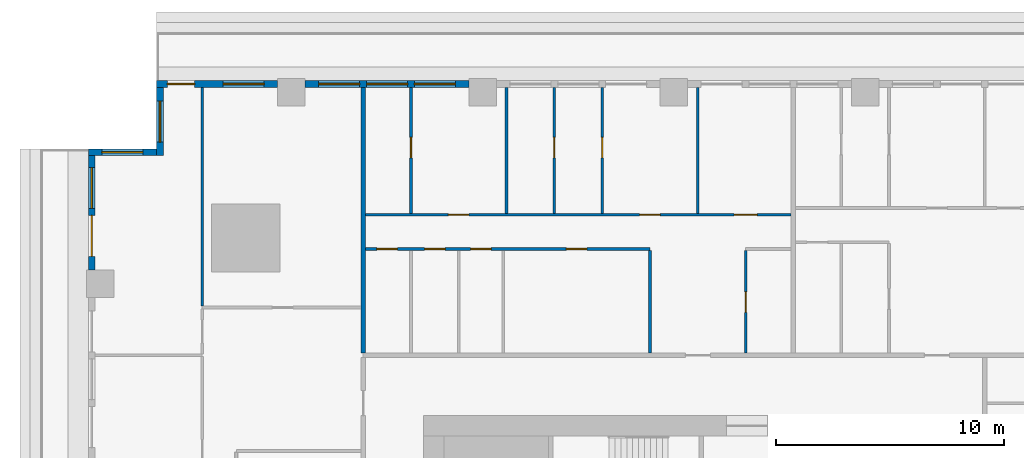
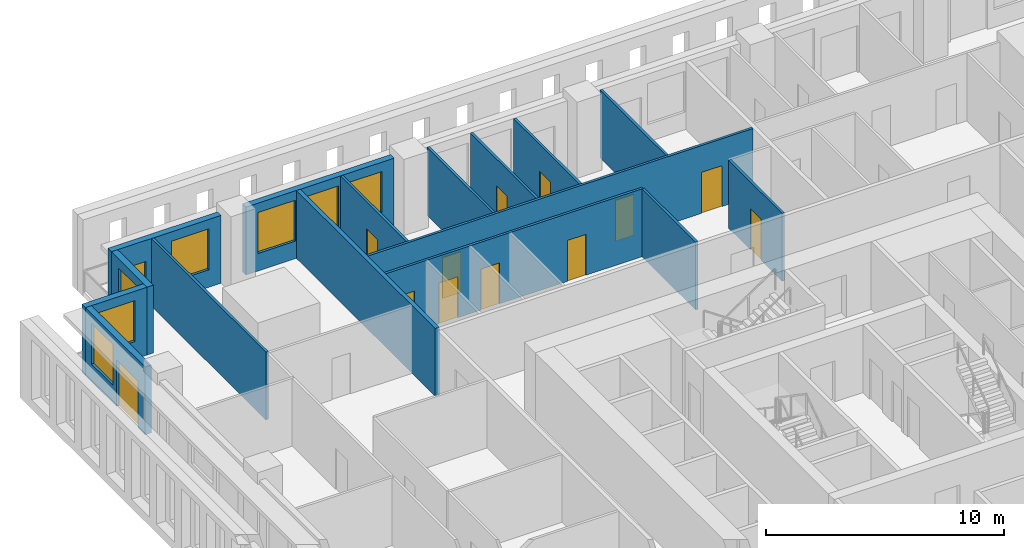
# One storey, part 7 of 15: 16 walls, 13 doors, 7 windows, 20 openings.
"""IFC4 building model written with IfcOpenShell, lengths in metres."""

from ifc_helpers import new_model, si_unit, direction, frame, frame_2d, origin, place, context, subcontext, project, spatial, rectangle, extrude, material, layer, layer_set, type_object, element, fill, save


model = new_model("IFC4")

# Units and contexts
model_context = context("Model", 3, precision=1e-05, world=origin(), true_north=direction((0.0, 1.0)))
body_context = subcontext(model_context, "Body", "Model", "MODEL_VIEW")
ifc_project = project(units=[si_unit("LENGTHUNIT", "METRE"), si_unit("AREAUNIT", "SQUARE_METRE"), si_unit("VOLUMEUNIT", "CUBIC_METRE"), si_unit("PLANEANGLEUNIT", "RADIAN"), si_unit("MASSUNIT", "GRAM", prefix="KILO")], contexts=[model_context])

# Site, building, storey
site_placement = place(None, origin())
site = spatial("IfcSite", under=ifc_project, at=site_placement, CompositionType="ELEMENT")
building_placement = place(site_placement, origin())
building = spatial("IfcBuilding", under=site, at=building_placement, Name="Khepri Terraces", CompositionType="ELEMENT")
storey_placement = place(building_placement, frame((0.0, 0.0, 46.5)))
storey = spatial("IfcBuildingStorey", under=building, at=storey_placement, Name="L10", CompositionType="ELEMENT", Elevation=46.5)

# Wall
ifc_material_1 = material(Name="Fire-rated gypsum plasterboard partition, mineral wool")
ifc_layer_1 = layer(ifc_material_1, 0.199951171875, Name="Fire-rated gypsum plasterboard partition, mineral wool")
ifc_layer_set_1 = layer_set([ifc_layer_1], Name="Fire-rated gypsum plasterboard partition, mineral wool")
wall_type_1 = type_object("IfcWallType", Name="WL-CORR-200", PredefinedType="PARTITIONING", material=ifc_layer_set_1)
wall_1_placement = place(storey_placement, frame((-13.64990234375, 13.75, 0.0), z_axis=(0.0, 0.0, 1.0), x_axis=(0.0, 1.0, 0.0)))
element("IfcWall", 1, at=wall_1_placement, inside=storey, type_object=wall_type_1, Name="Partition P-071 L10", PredefinedType="PARTITIONING", context=body_context, shape_type="SweptSolid", body=[
    extrude(rectangle(XDim=11.669921875, YDim=0.199951171875, at=frame_2d((5.8349609375, 0.0))), origin(), (0.0, 0.0, 1.0), 3.47998046875),
])

# Wall, openings, windows
ifc_material_2 = material(Name="Precast concrete C50/60 warm stone", Category="masonry")
ifc_layer_2 = layer(ifc_material_2, 0.300048828125, Name="Precast concrete C50/60 warm stone", Category="masonry")
ifc_layer_set_2 = layer_set([ifc_layer_2], Name="Precast concrete C50/60 warm stone")
wall_type_2 = type_object("IfcWallType", Name="WL-EXT-PRECAST-300", PredefinedType="STANDARD", material=ifc_layer_set_2)
wall_2_placement = place(storey_placement, frame((-9.0, 25.570068359375, 0.0), z_axis=(0.0, 0.0, 1.0), x_axis=(-1.0, 0.0, 0.0)))
wall_2 = element("IfcWall", 2, at=wall_2_placement, inside=storey, type_object=wall_type_2, Name="External wall L10 N", PredefinedType="STANDARD", context=body_context, shape_type="SweptSolid", body=[
    extrude(rectangle(XDim=7.199951171875, YDim=0.300048828125, at=frame_2d((3.60009765625, 0.0))), origin(), (0.0, 0.0, 1.0), 3.47998046875),
])
opening_1_placement = place(wall_2_placement, frame((0.60009765625, 0.0, 0.89990234375)))
opening_1 = element("IfcOpeningElement", 3, at=opening_1_placement, cuts=wall_2, Name="Opening W1", PredefinedType="OPENING", context=body_context, shape_type="SweptSolid", body=[
    extrude(rectangle(XDim=1.800048828125, YDim=2.10009765625, at=frame_2d((0.89990234375, 1.050048828125))), frame((0.0, 0.16015625, 0.0), z_axis=(0.0, -1.0, 0.0), x_axis=(1.0, 0.0, 0.0)), (0.0, 0.0, 1.0), 0.320068359375),
])
opening_2_placement = place(wall_2_placement, frame((2.699951171875, 0.0, 0.89990234375)))
opening_2 = element("IfcOpeningElement", 4, at=opening_2_placement, cuts=wall_2, Name="Opening W1", PredefinedType="OPENING", context=body_context, shape_type="SweptSolid", body=[
    extrude(rectangle(XDim=1.800048828125, YDim=2.10009765625, at=frame_2d((0.89990234375, 1.050048828125))), frame((0.0, 0.16015625, 0.0), z_axis=(0.0, -1.0, 0.0), x_axis=(1.0, 0.0, 0.0)), (0.0, 0.0, 1.0), 0.320068359375),
])
opening_3_placement = place(wall_2_placement, frame((4.800048828125, 0.0, 0.89990234375)))
opening_3 = element("IfcOpeningElement", 5, at=opening_3_placement, cuts=wall_2, Name="Opening W1", PredefinedType="OPENING", context=body_context, shape_type="SweptSolid", body=[
    extrude(rectangle(XDim=1.800048828125, YDim=2.10009765625, at=frame_2d((0.89990234375, 1.050048828125))), frame((0.0, 0.16015625, 0.0), z_axis=(0.0, -1.0, 0.0), x_axis=(1.0, 0.0, 0.0)), (0.0, 0.0, 1.0), 0.320068359375),
])
ifc_material_3 = material(Name="Clear glass", Category="glass")
window_type = type_object("IfcWindowType", Name="WIN-RES-1800x2100", PartitioningType="SINGLE_PANEL", PredefinedType="WINDOW", material=ifc_material_3)
window_1_placement = place(opening_1_placement, origin())
window_1 = element("IfcWindow", 6, at=window_1_placement, inside=storey, type_object=window_type, Name="Window L10 N", OverallHeight=2.10009765625, OverallWidth=1.800048828125, PartitioningType="SINGLE_PANEL", PredefinedType="WINDOW", context=body_context, shape_type="SweptSolid", body=[
    extrude(rectangle(XDim=1.800048828125, YDim=2.10009765625, at=frame_2d((0.89990234375, 1.050048828125))), frame((0.0, 0.030029296875, 0.0), z_axis=(0.0, -1.0, 0.0), x_axis=(1.0, 0.0, 0.0)), (0.0, 0.0, 1.0), 0.06005859375),
])
fill(opening_1, window_1)
window_2_placement = place(opening_2_placement, origin())
window_2 = element("IfcWindow", 7, at=window_2_placement, inside=storey, type_object=window_type, Name="Window L10 N", OverallHeight=2.10009765625, OverallWidth=1.800048828125, PartitioningType="SINGLE_PANEL", PredefinedType="WINDOW", context=body_context, shape_type="SweptSolid", body=[
    extrude(rectangle(XDim=1.800048828125, YDim=2.10009765625, at=frame_2d((0.89990234375, 1.050048828125))), frame((0.0, 0.030029296875, 0.0), z_axis=(0.0, -1.0, 0.0), x_axis=(1.0, 0.0, 0.0)), (0.0, 0.0, 1.0), 0.06005859375),
])
fill(opening_2, window_2)
window_3_placement = place(opening_3_placement, origin())
window_3 = element("IfcWindow", 8, at=window_3_placement, inside=storey, type_object=window_type, Name="Window L10 N", OverallHeight=2.10009765625, OverallWidth=1.800048828125, PartitioningType="SINGLE_PANEL", PredefinedType="WINDOW", context=body_context, shape_type="SweptSolid", body=[
    extrude(rectangle(XDim=1.800048828125, YDim=2.10009765625, at=frame_2d((0.89990234375, 1.050048828125))), frame((0.0, 0.030029296875, 0.0), z_axis=(0.0, -1.0, 0.0), x_axis=(1.0, 0.0, 0.0)), (0.0, 0.0, 1.0), 0.06005859375),
])
fill(opening_3, window_3)

# Wall, openings, door, window
wall_3_placement = place(storey_placement, frame((-17.39990234375, 25.570068359375, 0.0), z_axis=(0.0, 0.0, 1.0), x_axis=(-1.0, 0.0, 0.0)))
wall_3 = element("IfcWall", 9, at=wall_3_placement, inside=storey, type_object=wall_type_2, Name="External wall L10 N", PredefinedType="STANDARD", context=body_context, shape_type="SweptSolid", body=[
    extrude(rectangle(XDim=5.320068359375, YDim=0.300048828125, at=frame_2d((2.66015625, 0.0))), origin(), (0.0, 0.0, 1.0), 3.47998046875),
])
opening_4_placement = place(wall_3_placement, frame((0.60009765625, 0.0, 0.89990234375)))
opening_4 = element("IfcOpeningElement", 10, at=opening_4_placement, cuts=wall_3, Name="Opening W1", PredefinedType="OPENING", context=body_context, shape_type="SweptSolid", body=[
    extrude(rectangle(XDim=1.800048828125, YDim=2.10009765625, at=frame_2d((0.89990234375, 1.050048828125))), frame((0.0, 0.16015625, 0.0), z_axis=(0.0, -1.0, 0.0), x_axis=(1.0, 0.0, 0.0)), (0.0, 0.0, 1.0), 0.320068359375),
])
opening_5_placement = place(wall_3_placement, frame((3.64501953125, 0.0, 0.0)))
opening_5 = element("IfcOpeningElement", 11, at=opening_5_placement, cuts=wall_3, Name="Opening ED-L10-11", PredefinedType="OPENING", context=body_context, shape_type="SweptSolid", body=[
    extrude(rectangle(XDim=1.199951171875, YDim=2.39990234375, at=frame_2d((0.60009765625, 1.199951171875))), frame((0.0, 0.16015625, 0.0), z_axis=(0.0, -1.0, 0.0), x_axis=(1.0, 0.0, 0.0)), (0.0, 0.0, 1.0), 0.320068359375),
])
ifc_material_4 = material(Name="Anodised aluminium bronze glazed door", Category="aluminium")
door_type_1 = type_object("IfcDoorType", Name="DR-BAL-SLIDE-1200x2400", OperationType="NOTDEFINED", PredefinedType="DOOR", material=ifc_material_4)
door_1_placement = place(opening_5_placement, origin())
door_1 = element("IfcDoor", 12, at=door_1_placement, inside=storey, type_object=door_type_1, Name="Balcony door L10 N", OperationType="SLIDING_TO_RIGHT", OverallHeight=2.39990234375, OverallWidth=1.199951171875, PredefinedType="DOOR", context=body_context, shape_type="SweptSolid", body=[
    extrude(rectangle(XDim=1.199951171875, YDim=2.39990234375, at=frame_2d((0.60009765625, 1.199951171875))), frame((0.0, 0.02490234375, 0.0), z_axis=(0.0, -1.0, 0.0), x_axis=(1.0, 0.0, 0.0)), (0.0, 0.0, 1.0), 0.050048828125),
])
fill(opening_5, door_1)
window_4_placement = place(opening_4_placement, origin())
window_4 = element("IfcWindow", 13, at=window_4_placement, inside=storey, type_object=window_type, Name="Window L10 N", OverallHeight=2.10009765625, OverallWidth=1.800048828125, PartitioningType="SINGLE_PANEL", PredefinedType="WINDOW", context=body_context, shape_type="SweptSolid", body=[
    extrude(rectangle(XDim=1.800048828125, YDim=2.10009765625, at=frame_2d((0.89990234375, 1.050048828125))), frame((0.0, 0.030029296875, 0.0), z_axis=(0.0, -1.0, 0.0), x_axis=(1.0, 0.0, 0.0)), (0.0, 0.0, 1.0), 0.06005859375),
])
fill(opening_4, window_4)

# Wall, opening, window
wall_4_placement = place(storey_placement, frame((-22.570068359375, 25.419921875, 0.0), z_axis=(0.0, 0.0, 1.0), x_axis=(0.0, -1.0, 0.0)))
wall_4 = element("IfcWall", 14, at=wall_4_placement, inside=storey, type_object=wall_type_2, Name="External wall L10 W", PredefinedType="STANDARD", context=body_context, shape_type="SweptSolid", body=[
    extrude(rectangle(XDim=3.0, YDim=0.300048828125, at=frame_2d((1.5, 0.0))), origin(), (0.0, 0.0, 1.0), 3.47998046875),
])
opening_6_placement = place(wall_4_placement, frame((0.60009765625, 0.0, 0.89990234375)))
opening_6 = element("IfcOpeningElement", 15, at=opening_6_placement, cuts=wall_4, Name="Opening W1", PredefinedType="OPENING", context=body_context, shape_type="SweptSolid", body=[
    extrude(rectangle(XDim=1.800048828125, YDim=2.10009765625, at=frame_2d((0.89990234375, 1.050048828125))), frame((0.0, 0.16015625, 0.0), z_axis=(0.0, -1.0, 0.0), x_axis=(1.0, 0.0, 0.0)), (0.0, 0.0, 1.0), 0.320068359375),
])
window_5_placement = place(opening_6_placement, origin())
window_5 = element("IfcWindow", 16, at=window_5_placement, inside=storey, type_object=window_type, Name="Window L10 W", OverallHeight=2.10009765625, OverallWidth=1.800048828125, PartitioningType="SINGLE_PANEL", PredefinedType="WINDOW", context=body_context, shape_type="SweptSolid", body=[
    extrude(rectangle(XDim=1.800048828125, YDim=2.10009765625, at=frame_2d((0.89990234375, 1.050048828125))), frame((0.0, 0.030029296875, 0.0), z_axis=(0.0, -1.0, 0.0), x_axis=(1.0, 0.0, 0.0)), (0.0, 0.0, 1.0), 0.06005859375),
])
fill(opening_6, window_5)

wall_5_placement = place(storey_placement, frame((-22.719970703125, 22.570068359375, 0.0), z_axis=(0.0, 0.0, 1.0), x_axis=(-1.0, 0.0, 0.0)))
wall_5 = element("IfcWall", 17, at=wall_5_placement, inside=storey, type_object=wall_type_2, Name="External wall L10 N", PredefinedType="STANDARD", context=body_context, shape_type="SweptSolid", body=[
    extrude(rectangle(XDim=3.0, YDim=0.300048828125, at=frame_2d((1.5, 0.0))), origin(), (0.0, 0.0, 1.0), 3.47998046875),
])
opening_7_placement = place(wall_5_placement, frame((0.60009765625, 0.0, 0.89990234375)))
opening_7 = element("IfcOpeningElement", 18, at=opening_7_placement, cuts=wall_5, Name="Opening W1", PredefinedType="OPENING", context=body_context, shape_type="SweptSolid", body=[
    extrude(rectangle(XDim=1.800048828125, YDim=2.10009765625, at=frame_2d((0.89990234375, 1.050048828125))), frame((0.0, 0.16015625, 0.0), z_axis=(0.0, -1.0, 0.0), x_axis=(1.0, 0.0, 0.0)), (0.0, 0.0, 1.0), 0.320068359375),
])
window_6_placement = place(opening_7_placement, origin())
window_6 = element("IfcWindow", 19, at=window_6_placement, inside=storey, type_object=window_type, Name="Window L10 N", OverallHeight=2.10009765625, OverallWidth=1.800048828125, PartitioningType="SINGLE_PANEL", PredefinedType="WINDOW", context=body_context, shape_type="SweptSolid", body=[
    extrude(rectangle(XDim=1.800048828125, YDim=2.10009765625, at=frame_2d((0.89990234375, 1.050048828125))), frame((0.0, 0.030029296875, 0.0), z_axis=(0.0, -1.0, 0.0), x_axis=(1.0, 0.0, 0.0)), (0.0, 0.0, 1.0), 0.06005859375),
])
fill(opening_7, window_6)

# Wall, openings, door, window
wall_6_placement = place(storey_placement, frame((-25.570068359375, 22.419921875, 0.0), z_axis=(0.0, 0.0, 1.0), x_axis=(0.0, -1.0, 0.0)))
wall_6 = element("IfcWall", 20, at=wall_6_placement, inside=storey, type_object=wall_type_2, Name="External wall L10 W", PredefinedType="STANDARD", context=body_context, shape_type="SweptSolid", body=[
    extrude(rectangle(XDim=5.02001953125, YDim=0.300048828125, at=frame_2d((2.510009765625, 0.0))), origin(), (0.0, 0.0, 1.0), 3.47998046875),
])
opening_8_placement = place(wall_6_placement, frame((0.52001953125, 0.0, 0.89990234375)))
opening_8 = element("IfcOpeningElement", 21, at=opening_8_placement, cuts=wall_6, Name="Opening W1", PredefinedType="OPENING", context=body_context, shape_type="SweptSolid", body=[
    extrude(rectangle(XDim=1.800048828125, YDim=2.10009765625, at=frame_2d((0.89990234375, 1.050048828125))), frame((0.0, 0.16015625, 0.0), z_axis=(0.0, -1.0, 0.0), x_axis=(1.0, 0.0, 0.0)), (0.0, 0.0, 1.0), 0.320068359375),
])
opening_9_placement = place(wall_6_placement, frame((2.6201171875, 0.0, 0.0)))
opening_9 = element("IfcOpeningElement", 22, at=opening_9_placement, cuts=wall_6, Name="Opening ED-L10-12", PredefinedType="OPENING", context=body_context, shape_type="SweptSolid", body=[
    extrude(rectangle(XDim=1.800048828125, YDim=2.39990234375, at=frame_2d((0.89990234375, 1.199951171875))), frame((0.0, 0.16015625, 0.0), z_axis=(0.0, -1.0, 0.0), x_axis=(1.0, 0.0, 0.0)), (0.0, 0.0, 1.0), 0.320068359375),
])
door_type_2 = type_object("IfcDoorType", Name="DR-BAL-SLIDE-1800x2400", OperationType="NOTDEFINED", PredefinedType="DOOR", material=ifc_material_4)
door_2_placement = place(opening_9_placement, origin())
door_2 = element("IfcDoor", 23, at=door_2_placement, inside=storey, type_object=door_type_2, Name="Balcony door L10 W", OperationType="SLIDING_TO_RIGHT", OverallHeight=2.39990234375, OverallWidth=1.800048828125, PredefinedType="DOOR", context=body_context, shape_type="SweptSolid", body=[
    extrude(rectangle(XDim=1.800048828125, YDim=2.39990234375, at=frame_2d((0.89990234375, 1.199951171875))), frame((0.0, 0.02490234375, 0.0), z_axis=(0.0, -1.0, 0.0), x_axis=(1.0, 0.0, 0.0)), (0.0, 0.0, 1.0), 0.050048828125),
])
fill(opening_9, door_2)
window_7_placement = place(opening_8_placement, origin())
window_7 = element("IfcWindow", 24, at=window_7_placement, inside=storey, type_object=window_type, Name="Window L10 W", OverallHeight=2.10009765625, OverallWidth=1.800048828125, PartitioningType="SINGLE_PANEL", PredefinedType="WINDOW", context=body_context, shape_type="SweptSolid", body=[
    extrude(rectangle(XDim=1.800048828125, YDim=2.10009765625, at=frame_2d((0.89990234375, 1.050048828125))), frame((0.0, 0.030029296875, 0.0), z_axis=(0.0, -1.0, 0.0), x_axis=(1.0, 0.0, 0.0)), (0.0, 0.0, 1.0), 0.06005859375),
])
fill(opening_8, window_7)

# Wall
ifc_material_5 = material(Name="Gypsum plasterboard partition")
ifc_layer_3 = layer(ifc_material_5, 0.1201171875, Name="Gypsum plasterboard partition")
ifc_layer_set_3 = layer_set([ifc_layer_3], Name="Gypsum plasterboard partition")
wall_type_3 = type_object("IfcWallType", Name="WL-PART-120", PredefinedType="PARTITIONING", material=ifc_layer_set_3)
wall_7_placement = place(storey_placement, frame((-1.050048828125, 13.75, 0.0), z_axis=(0.0, 0.0, 1.0), x_axis=(0.0, 1.0, 0.0)))
element("IfcWall", 25, at=wall_7_placement, inside=storey, type_object=wall_type_3, Name="Partition P-075 L10", PredefinedType="PARTITIONING", context=body_context, shape_type="SweptSolid", body=[
    extrude(rectangle(XDim=4.510009765625, YDim=0.1201171875, at=frame_2d((2.2548828125, 0.0))), origin(), (0.0, 0.0, 1.0), 3.47998046875),
])

# Wall, opening, door
wall_8_placement = place(storey_placement, frame((3.14990234375, 13.75, 0.0), z_axis=(0.0, 0.0, 1.0), x_axis=(0.0, 1.0, 0.0)))
wall_8 = element("IfcWall", 26, at=wall_8_placement, inside=storey, type_object=wall_type_3, Name="Partition P-076 L10", PredefinedType="PARTITIONING", context=body_context, shape_type="SweptSolid", body=[
    extrude(rectangle(XDim=4.510009765625, YDim=0.1201171875, at=frame_2d((2.2548828125, 0.0))), origin(), (0.0, 0.0, 1.0), 3.47998046875),
])
opening_10_placement = place(wall_8_placement, frame((1.784912109375, 0.0, 0.0)))
opening_10 = element("IfcOpeningElement", 27, at=opening_10_placement, cuts=wall_8, Name="Opening D3", PredefinedType="OPENING", context=body_context, shape_type="SweptSolid", body=[
    extrude(rectangle(XDim=0.89990234375, YDim=2.10009765625, at=frame_2d((0.449951171875, 1.050048828125))), frame((0.0, 0.070068359375, 0.0), z_axis=(0.0, -1.0, 0.0), x_axis=(1.0, 0.0, 0.0)), (0.0, 0.0, 1.0), 0.14013671875),
])
ifc_material_6 = material(Name="Timber door leaf", Category="wood")
door_type_3 = type_object("IfcDoorType", Name="DR-INT-900", OperationType="NOTDEFINED", PredefinedType="DOOR", material=ifc_material_6)
door_3_placement = place(opening_10_placement, frame((0.89990234375, 0.0, 0.0), z_axis=(0.0, 0.0, 1.0), x_axis=(-1.0, 0.0, 0.0)))
door_3 = element("IfcDoor", 28, at=door_3_placement, inside=storey, type_object=door_type_3, Name="Door Utility Room", OperationType="SINGLE_SWING_RIGHT", OverallHeight=2.10009765625, OverallWidth=0.89990234375, PredefinedType="DOOR", context=body_context, shape_type="SweptSolid", body=[
    extrude(rectangle(XDim=0.89990234375, YDim=2.10009765625, at=frame_2d((0.449951171875, 1.050048828125))), frame((0.0, 0.02490234375, 0.0), z_axis=(0.0, -1.0, 0.0), x_axis=(1.0, 0.0, 0.0)), (0.0, 0.0, 1.0), 0.050048828125),
])
fill(opening_10, door_3)

# Wall
wall_9_placement = place(storey_placement, frame((-20.719970703125, 15.81005859375, 0.0), z_axis=(0.0, 0.0, 1.0), x_axis=(0.0, 1.0, 0.0)))
element("IfcWall", 29, at=wall_9_placement, inside=storey, type_object=wall_type_3, Name="Partition P-082 L10", PredefinedType="PARTITIONING", context=body_context, shape_type="SweptSolid", body=[
    extrude(rectangle(XDim=9.60986328125, YDim=0.1201171875, at=frame_2d((4.804931640625, 0.0))), origin(), (0.0, 0.0, 1.0), 3.47998046875),
])

# Wall, openings, doors
wall_10_placement = place(storey_placement, frame((-13.550048828125, 18.320068359375, 0.0), z_axis=(0.0, 0.0, 1.0), x_axis=(1.0, 0.0, 0.0)))
wall_10 = element("IfcWall", 30, at=wall_10_placement, inside=storey, type_object=wall_type_3, Name="Partition P-083 L10", PredefinedType="PARTITIONING", context=body_context, shape_type="SweptSolid", body=[
    extrude(rectangle(XDim=12.5, YDim=0.1201171875, at=frame_2d((6.25, 0.0))), origin(), (0.0, 0.0, 1.0), 3.47998046875),
])
opening_11_placement = place(wall_10_placement, frame((8.824951171875, 0.0, 0.0)))
opening_11 = element("IfcOpeningElement", 31, at=opening_11_placement, cuts=wall_10, Name="Opening D3", PredefinedType="OPENING", context=body_context, shape_type="SweptSolid", body=[
    extrude(rectangle(XDim=0.89990234375, YDim=2.10009765625, at=frame_2d((0.449951171875, 1.050048828125))), frame((0.0, 0.070068359375, 0.0), z_axis=(0.0, -1.0, 0.0), x_axis=(1.0, 0.0, 0.0)), (0.0, 0.0, 1.0), 0.14013671875),
])
opening_12_placement = place(wall_10_placement, frame((4.625, 0.0, 0.0)))
opening_12 = element("IfcOpeningElement", 32, at=opening_12_placement, cuts=wall_10, Name="Opening D4", PredefinedType="OPENING", context=body_context, shape_type="SweptSolid", body=[
    extrude(rectangle(XDim=0.89990234375, YDim=2.10009765625, at=frame_2d((0.449951171875, 1.050048828125))), frame((0.0, 0.070068359375, 0.0), z_axis=(0.0, -1.0, 0.0), x_axis=(1.0, 0.0, 0.0)), (0.0, 0.0, 1.0), 0.14013671875),
])
opening_13_placement = place(wall_10_placement, frame((2.60009765625, 0.0, 0.0)))
opening_13 = element("IfcOpeningElement", 33, at=opening_13_placement, cuts=wall_10, Name="Opening D4", PredefinedType="OPENING", context=body_context, shape_type="SweptSolid", body=[
    extrude(rectangle(XDim=0.89990234375, YDim=2.10009765625, at=frame_2d((0.449951171875, 1.050048828125))), frame((0.0, 0.070068359375, 0.0), z_axis=(0.0, -1.0, 0.0), x_axis=(1.0, 0.0, 0.0)), (0.0, 0.0, 1.0), 0.14013671875),
])
opening_14_placement = place(wall_10_placement, frame((0.5, 0.0, 0.0)))
opening_14 = element("IfcOpeningElement", 34, at=opening_14_placement, cuts=wall_10, Name="Opening D3", PredefinedType="OPENING", context=body_context, shape_type="SweptSolid", body=[
    extrude(rectangle(XDim=0.89990234375, YDim=2.10009765625, at=frame_2d((0.449951171875, 1.050048828125))), frame((0.0, 0.070068359375, 0.0), z_axis=(0.0, -1.0, 0.0), x_axis=(1.0, 0.0, 0.0)), (0.0, 0.0, 1.0), 0.14013671875),
])
door_4_placement = place(opening_11_placement, frame((0.89990234375, 0.0, 0.0), z_axis=(0.0, 0.0, 1.0), x_axis=(-1.0, 0.0, 0.0)))
door_4 = element("IfcDoor", 35, at=door_4_placement, inside=storey, type_object=door_type_3, Name="Door Kitchen", OperationType="SINGLE_SWING_LEFT", OverallHeight=2.10009765625, OverallWidth=0.89990234375, PredefinedType="DOOR", context=body_context, shape_type="SweptSolid", body=[
    extrude(rectangle(XDim=0.89990234375, YDim=2.10009765625, at=frame_2d((0.449951171875, 1.050048828125))), frame((0.0, 0.02490234375, 0.0), z_axis=(0.0, -1.0, 0.0), x_axis=(1.0, 0.0, 0.0)), (0.0, 0.0, 1.0), 0.050048828125),
])
fill(opening_11, door_4)
door_5_placement = place(opening_14_placement, frame((0.89990234375, 0.0, 0.0), z_axis=(0.0, 0.0, 1.0), x_axis=(-1.0, 0.0, 0.0)))
door_5 = element("IfcDoor", 36, at=door_5_placement, inside=storey, type_object=door_type_3, Name="Door Utility Room", OperationType="SINGLE_SWING_RIGHT", OverallHeight=2.10009765625, OverallWidth=0.89990234375, PredefinedType="DOOR", context=body_context, shape_type="SweptSolid", body=[
    extrude(rectangle(XDim=0.89990234375, YDim=2.10009765625, at=frame_2d((0.449951171875, 1.050048828125))), frame((0.0, 0.02490234375, 0.0), z_axis=(0.0, -1.0, 0.0), x_axis=(1.0, 0.0, 0.0)), (0.0, 0.0, 1.0), 0.050048828125),
])
fill(opening_14, door_5)
ifc_material_7 = material(Name="Timber door leaf, moisture resistant", Category="wood")
door_type_4 = type_object("IfcDoorType", Name="DR-WET-900", OperationType="NOTDEFINED", PredefinedType="DOOR", material=ifc_material_7)
door_6_placement = place(opening_12_placement, frame((0.89990234375, 0.0, 0.0), z_axis=(0.0, 0.0, 1.0), x_axis=(-1.0, 0.0, 0.0)))
door_6 = element("IfcDoor", 37, at=door_6_placement, inside=storey, type_object=door_type_4, Name="Door Powder Room", OperationType="SINGLE_SWING_RIGHT", OverallHeight=2.10009765625, OverallWidth=0.89990234375, PredefinedType="DOOR", context=body_context, shape_type="SweptSolid", body=[
    extrude(rectangle(XDim=0.89990234375, YDim=2.10009765625, at=frame_2d((0.449951171875, 1.050048828125))), frame((0.0, 0.02490234375, 0.0), z_axis=(0.0, -1.0, 0.0), x_axis=(1.0, 0.0, 0.0)), (0.0, 0.0, 1.0), 0.050048828125),
])
fill(opening_12, door_6)
door_7_placement = place(opening_13_placement, frame((0.89990234375, 0.0, 0.0), z_axis=(0.0, 0.0, 1.0), x_axis=(-1.0, 0.0, 0.0)))
door_7 = element("IfcDoor", 38, at=door_7_placement, inside=storey, type_object=door_type_4, Name="Door Guest Bathroom", OperationType="SINGLE_SWING_RIGHT", OverallHeight=2.10009765625, OverallWidth=0.89990234375, PredefinedType="DOOR", context=body_context, shape_type="SweptSolid", body=[
    extrude(rectangle(XDim=0.89990234375, YDim=2.10009765625, at=frame_2d((0.449951171875, 1.050048828125))), frame((0.0, 0.02490234375, 0.0), z_axis=(0.0, -1.0, 0.0), x_axis=(1.0, 0.0, 0.0)), (0.0, 0.0, 1.0), 0.050048828125),
])
fill(opening_13, door_7)

wall_11_placement = place(storey_placement, frame((-13.550048828125, 19.820068359375, 0.0), z_axis=(0.0, 0.0, 1.0), x_axis=(1.0, 0.0, 0.0)))
wall_11 = element("IfcWall", 39, at=wall_11_placement, inside=storey, type_object=wall_type_3, Name="Partition P-086 L10", PredefinedType="PARTITIONING", context=body_context, shape_type="SweptSolid", body=[
    extrude(rectangle(XDim=18.699951171875, YDim=0.1201171875, at=frame_2d((9.35009765625, 0.0))), origin(), (0.0, 0.0, 1.0), 3.47998046875),
])
opening_15_placement = place(wall_11_placement, frame((16.199951171875, 0.0, 0.0)))
opening_15 = element("IfcOpeningElement", 40, at=opening_15_placement, cuts=wall_11, Name="Opening D2", PredefinedType="OPENING", context=body_context, shape_type="SweptSolid", body=[
    extrude(rectangle(XDim=1.0, YDim=2.10009765625, at=frame_2d((0.5, 1.050048828125))), frame((0.0, 0.070068359375, 0.0), z_axis=(0.0, -1.0, 0.0), x_axis=(1.0, 0.0, 0.0)), (0.0, 0.0, 1.0), 0.14013671875),
])
opening_16_placement = place(wall_11_placement, frame((12.050048828125, 0.0, 0.0)))
opening_16 = element("IfcOpeningElement", 41, at=opening_16_placement, cuts=wall_11, Name="Opening D3", PredefinedType="OPENING", context=body_context, shape_type="SweptSolid", body=[
    extrude(rectangle(XDim=0.89990234375, YDim=2.10009765625, at=frame_2d((0.449951171875, 1.050048828125))), frame((0.0, 0.070068359375, 0.0), z_axis=(0.0, -1.0, 0.0), x_axis=(1.0, 0.0, 0.0)), (0.0, 0.0, 1.0), 0.14013671875),
])
opening_17_placement = place(wall_11_placement, frame((3.64990234375, 0.0, 0.0)))
opening_17 = element("IfcOpeningElement", 42, at=opening_17_placement, cuts=wall_11, Name="Opening D3", PredefinedType="OPENING", context=body_context, shape_type="SweptSolid", body=[
    extrude(rectangle(XDim=0.89990234375, YDim=2.10009765625, at=frame_2d((0.449951171875, 1.050048828125))), frame((0.0, 0.070068359375, 0.0), z_axis=(0.0, -1.0, 0.0), x_axis=(1.0, 0.0, 0.0)), (0.0, 0.0, 1.0), 0.14013671875),
])
ifc_material_8 = material(Name="Timber door leaf, living room door", Category="wood")
door_type_5 = type_object("IfcDoorType", Name="DR-INT-1000", OperationType="NOTDEFINED", PredefinedType="DOOR", material=ifc_material_8)
door_8_placement = place(opening_15_placement, origin())
door_8 = element("IfcDoor", 43, at=door_8_placement, inside=storey, type_object=door_type_5, Name="Door Sun Lounge", OperationType="SINGLE_SWING_RIGHT", OverallHeight=2.10009765625, OverallWidth=1.0, PredefinedType="DOOR", context=body_context, shape_type="SweptSolid", body=[
    extrude(rectangle(XDim=1.0, YDim=2.10009765625, at=frame_2d((0.5, 1.050048828125))), frame((0.0, 0.02490234375, 0.0), z_axis=(0.0, -1.0, 0.0), x_axis=(1.0, 0.0, 0.0)), (0.0, 0.0, 1.0), 0.050048828125),
])
fill(opening_15, door_8)
door_9_placement = place(opening_16_placement, origin())
door_9 = element("IfcDoor", 44, at=door_9_placement, inside=storey, type_object=door_type_3, Name="Door Master Bedroom", OperationType="SINGLE_SWING_RIGHT", OverallHeight=2.10009765625, OverallWidth=0.89990234375, PredefinedType="DOOR", context=body_context, shape_type="SweptSolid", body=[
    extrude(rectangle(XDim=0.89990234375, YDim=2.10009765625, at=frame_2d((0.449951171875, 1.050048828125))), frame((0.0, 0.02490234375, 0.0), z_axis=(0.0, -1.0, 0.0), x_axis=(1.0, 0.0, 0.0)), (0.0, 0.0, 1.0), 0.050048828125),
])
fill(opening_16, door_9)
door_10_placement = place(opening_17_placement, origin())
door_10 = element("IfcDoor", 45, at=door_10_placement, inside=storey, type_object=door_type_3, Name="Door Bedroom", OperationType="SINGLE_SWING_LEFT", OverallHeight=2.10009765625, OverallWidth=0.89990234375, PredefinedType="DOOR", context=body_context, shape_type="SweptSolid", body=[
    extrude(rectangle(XDim=0.89990234375, YDim=2.10009765625, at=frame_2d((0.449951171875, 1.050048828125))), frame((0.0, 0.02490234375, 0.0), z_axis=(0.0, -1.0, 0.0), x_axis=(1.0, 0.0, 0.0)), (0.0, 0.0, 1.0), 0.050048828125),
])
fill(opening_17, door_10)

# Wall, opening, door
wall_12_placement = place(storey_placement, frame((-11.550048828125, 19.8798828125, 0.0), z_axis=(0.0, 0.0, 1.0), x_axis=(0.0, 1.0, 0.0)))
wall_12 = element("IfcWall", 46, at=wall_12_placement, inside=storey, type_object=wall_type_3, Name="Partition P-087 L10", PredefinedType="PARTITIONING", context=body_context, shape_type="SweptSolid", body=[
    extrude(rectangle(XDim=5.5400390625, YDim=0.1201171875, at=frame_2d((2.77001953125, 0.0))), origin(), (0.0, 0.0, 1.0), 3.47998046875),
])
opening_18_placement = place(wall_12_placement, frame((2.43994140625, 0.0, 0.0)))
opening_18 = element("IfcOpeningElement", 47, at=opening_18_placement, cuts=wall_12, Name="Opening D4", PredefinedType="OPENING", context=body_context, shape_type="SweptSolid", body=[
    extrude(rectangle(XDim=0.89990234375, YDim=2.10009765625, at=frame_2d((0.449951171875, 1.050048828125))), frame((0.0, 0.070068359375, 0.0), z_axis=(0.0, -1.0, 0.0), x_axis=(1.0, 0.0, 0.0)), (0.0, 0.0, 1.0), 0.14013671875),
])
door_11_placement = place(opening_18_placement, origin())
door_11 = element("IfcDoor", 48, at=door_11_placement, inside=storey, type_object=door_type_4, Name="Door Bathroom", OperationType="SINGLE_SWING_RIGHT", OverallHeight=2.10009765625, OverallWidth=0.89990234375, PredefinedType="DOOR", context=body_context, shape_type="SweptSolid", body=[
    extrude(rectangle(XDim=0.89990234375, YDim=2.10009765625, at=frame_2d((0.449951171875, 1.050048828125))), frame((0.0, 0.02490234375, 0.0), z_axis=(0.0, -1.0, 0.0), x_axis=(1.0, 0.0, 0.0)), (0.0, 0.0, 1.0), 0.050048828125),
])
fill(opening_18, door_11)

# Wall
wall_13_placement = place(storey_placement, frame((-7.35009765625, 19.8798828125, 0.0), z_axis=(0.0, 0.0, 1.0), x_axis=(0.0, 1.0, 0.0)))
element("IfcWall", 49, at=wall_13_placement, inside=storey, type_object=wall_type_3, Name="Partition P-088 L10", PredefinedType="PARTITIONING", context=body_context, shape_type="SweptSolid", body=[
    extrude(rectangle(XDim=5.5400390625, YDim=0.1201171875, at=frame_2d((2.77001953125, 0.0))), origin(), (0.0, 0.0, 1.0), 3.47998046875),
])

# Wall, opening, door
wall_14_placement = place(storey_placement, frame((-5.25, 19.8798828125, 0.0), z_axis=(0.0, 0.0, 1.0), x_axis=(0.0, 1.0, 0.0)))
wall_14 = element("IfcWall", 50, at=wall_14_placement, inside=storey, type_object=wall_type_3, Name="Partition P-089 L10", PredefinedType="PARTITIONING", context=body_context, shape_type="SweptSolid", body=[
    extrude(rectangle(XDim=5.5400390625, YDim=0.1201171875, at=frame_2d((2.77001953125, 0.0))), origin(), (0.0, 0.0, 1.0), 3.47998046875),
])
opening_19_placement = place(wall_14_placement, frame((2.43994140625, 0.0, 0.0)))
opening_19 = element("IfcOpeningElement", 51, at=opening_19_placement, cuts=wall_14, Name="Opening D4", PredefinedType="OPENING", context=body_context, shape_type="SweptSolid", body=[
    extrude(rectangle(XDim=0.89990234375, YDim=2.10009765625, at=frame_2d((0.449951171875, 1.050048828125))), frame((0.0, 0.070068359375, 0.0), z_axis=(0.0, -1.0, 0.0), x_axis=(1.0, 0.0, 0.0)), (0.0, 0.0, 1.0), 0.14013671875),
])
door_12_placement = place(opening_19_placement, origin())
door_12 = element("IfcDoor", 52, at=door_12_placement, inside=storey, type_object=door_type_4, Name="Door Bathroom", OperationType="SINGLE_SWING_RIGHT", OverallHeight=2.10009765625, OverallWidth=0.89990234375, PredefinedType="DOOR", context=body_context, shape_type="SweptSolid", body=[
    extrude(rectangle(XDim=0.89990234375, YDim=2.10009765625, at=frame_2d((0.449951171875, 1.050048828125))), frame((0.0, 0.02490234375, 0.0), z_axis=(0.0, -1.0, 0.0), x_axis=(1.0, 0.0, 0.0)), (0.0, 0.0, 1.0), 0.050048828125),
])
fill(opening_19, door_12)

wall_15_placement = place(storey_placement, frame((-3.14990234375, 19.8798828125, 0.0), z_axis=(0.0, 0.0, 1.0), x_axis=(0.0, 1.0, 0.0)))
wall_15 = element("IfcWall", 53, at=wall_15_placement, inside=storey, type_object=wall_type_3, Name="Partition P-090 L10", PredefinedType="PARTITIONING", context=body_context, shape_type="SweptSolid", body=[
    extrude(rectangle(XDim=5.5400390625, YDim=0.1201171875, at=frame_2d((2.77001953125, 0.0))), origin(), (0.0, 0.0, 1.0), 3.47998046875),
])
opening_20_placement = place(wall_15_placement, frame((2.43994140625, 0.0, 0.0)))
opening_20 = element("IfcOpeningElement", 54, at=opening_20_placement, cuts=wall_15, Name="Opening D3", PredefinedType="OPENING", context=body_context, shape_type="SweptSolid", body=[
    extrude(rectangle(XDim=0.89990234375, YDim=2.10009765625, at=frame_2d((0.449951171875, 1.050048828125))), frame((0.0, 0.070068359375, 0.0), z_axis=(0.0, -1.0, 0.0), x_axis=(1.0, 0.0, 0.0)), (0.0, 0.0, 1.0), 0.14013671875),
])
door_13_placement = place(opening_20_placement, origin())
door_13 = element("IfcDoor", 55, at=door_13_placement, inside=storey, type_object=door_type_3, Name="Door Dressing Room", OperationType="SINGLE_SWING_RIGHT", OverallHeight=2.10009765625, OverallWidth=0.89990234375, PredefinedType="DOOR", context=body_context, shape_type="SweptSolid", body=[
    extrude(rectangle(XDim=0.89990234375, YDim=2.10009765625, at=frame_2d((0.449951171875, 1.050048828125))), frame((0.0, 0.02490234375, 0.0), z_axis=(0.0, -1.0, 0.0), x_axis=(1.0, 0.0, 0.0)), (0.0, 0.0, 1.0), 0.050048828125),
])
fill(opening_20, door_13)

# Wall
wall_16_placement = place(storey_placement, frame((1.050048828125, 19.8798828125, 0.0), z_axis=(0.0, 0.0, 1.0), x_axis=(0.0, 1.0, 0.0)))
element("IfcWall", 56, at=wall_16_placement, inside=storey, type_object=wall_type_3, Name="Partition P-091 L10", PredefinedType="PARTITIONING", context=body_context, shape_type="SweptSolid", body=[
    extrude(rectangle(XDim=5.5400390625, YDim=0.1201171875, at=frame_2d((2.77001953125, 0.0))), origin(), (0.0, 0.0, 1.0), 3.47998046875),
])

save(model, "model.ifc")
